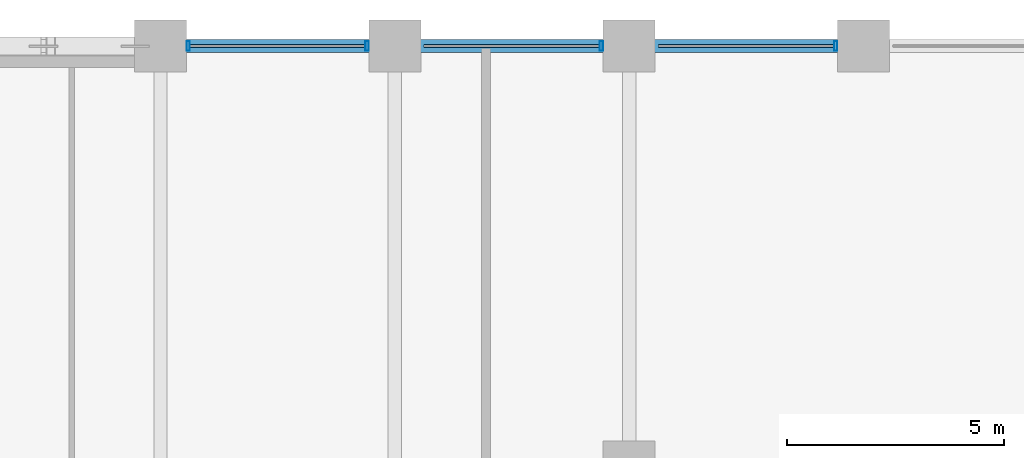
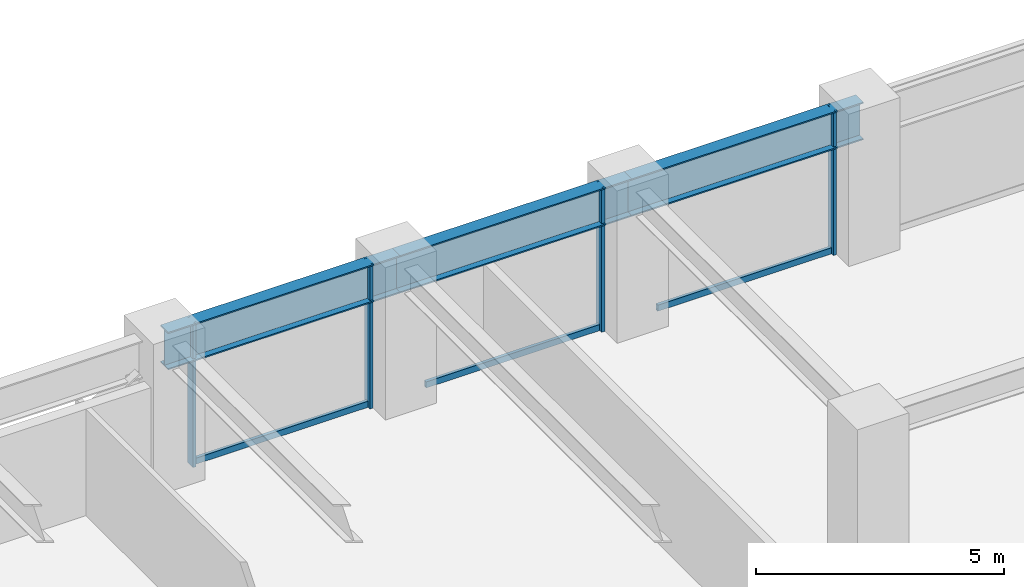
# One storey, part 15 of 28: 7 members, 3 beams, 1 element without a shape of its own.
"""IFC4 building model written with IfcOpenShell, lengths in metres."""

from ifc_helpers import new_model, si_unit, direction, frame, origin, origin_2d, place, context, subcontext, project, spatial, hollow_rectangle, i_section, extrude, material, layer, layer_set, material_profile, profile_set, type_object, element, aggregate, save


model = new_model("IFC4")

# Units and contexts
model_context = context("Model", 3, precision=1e-05, world=origin(), true_north=direction((0.0, 1.0)))
body_context = subcontext(model_context, "Body", "Model", "MODEL_VIEW")
ifc_project = project(units=[si_unit("LENGTHUNIT", "METRE"), si_unit("AREAUNIT", "SQUARE_METRE"), si_unit("VOLUMEUNIT", "CUBIC_METRE"), si_unit("PLANEANGLEUNIT", "RADIAN"), si_unit("MASSUNIT", "GRAM", prefix="KILO")], contexts=[model_context])

# Site, building, storey
site_placement = place(None, origin())
site = spatial("IfcSite", under=ifc_project, at=site_placement, CompositionType="ELEMENT")
building_placement = place(site_placement, origin())
building = spatial("IfcBuilding", under=site, at=building_placement, Name="Surkhivell Harbour Commons", CompositionType="ELEMENT")
storey_placement = place(building_placement, frame((0.0, 0.0, 63.75)))
storey = spatial("IfcBuildingStorey", under=building, at=storey_placement, Name="L16", CompositionType="ELEMENT", Elevation=63.75)

# Beams
ifc_material_1 = material(Name="Steel S460", Category="steel")
ifc_material_profile_1 = material_profile(ifc_material_1, i_section(OverallWidth=0.30810546875, OverallDepth=0.927001953125, WebThickness=0.01953125, FlangeThickness=0.031982421875, at=origin_2d()), Name="UB914x305x289")
ifc_profile_set_1 = profile_set([ifc_material_profile_1], Name="Steel S460")
beam_type = type_object("IfcBeamType", Name="BM-SPN-914B", PredefinedType="SPANDREL", material=ifc_profile_set_1)
beam_1_placement = place(storey_placement, frame((5.39990234375, 25.89990234375, 3.1064453125), z_axis=(1.0, 0.0, 0.0), x_axis=(0.0, 1.0, 0.0)))
element("IfcBeam", 1, at=beam_1_placement, inside=storey, type_object=beam_type, Name="L16 Tube Spandrel (5.4,25.9)", PredefinedType="SPANDREL", context=body_context, shape_type="SweptSolid", body=[
    extrude(i_section(OverallWidth=0.30810546875, OverallDepth=0.927001953125, WebThickness=0.01953125, FlangeThickness=0.031982421875, at=origin_2d()), origin(), (0.0, 0.0, 1.0), 5.400146484375),
])
beam_2_placement = place(storey_placement, frame((10.800048828125, 25.89990234375, 3.1064453125), z_axis=(1.0, 0.0, 0.0), x_axis=(0.0, 1.0, 0.0)))
element("IfcBeam", 2, at=beam_2_placement, inside=storey, type_object=beam_type, Name="L16 Tube Spandrel (10.8,25.9)", PredefinedType="SPANDREL", context=body_context, shape_type="SweptSolid", body=[
    extrude(i_section(OverallWidth=0.30810546875, OverallDepth=0.927001953125, WebThickness=0.01953125, FlangeThickness=0.031982421875, at=origin_2d()), origin(), (0.0, 0.0, 1.0), 5.39990234375),
])
beam_3_placement = place(storey_placement, frame((16.199951171875, 25.89990234375, 3.1064453125), z_axis=(1.0, 0.0, 0.0), x_axis=(0.0, 1.0, 0.0)))
element("IfcBeam", 3, at=beam_3_placement, inside=storey, type_object=beam_type, Name="L16 Tube Spandrel (16.2,25.9)", PredefinedType="SPANDREL", context=body_context, shape_type="SweptSolid", body=[
    extrude(i_section(OverallWidth=0.30810546875, OverallDepth=0.927001953125, WebThickness=0.01953125, FlangeThickness=0.031982421875, at=origin_2d()), origin(), (0.0, 0.0, 1.0), 5.400146484375),
])

# Curtain wall, members
ifc_material_2 = material(Name="Anodised pale-metal aluminium and insulated glazing", Category="aluminium")
ifc_layer = layer(ifc_material_2, 0.219970703125)
ifc_layer_set = layer_set([ifc_layer], Name="Anodised pale-metal aluminium and insulated glazing")
curtain_wall_type = type_object("IfcCurtainWallType", Name="CW-SYS-Z1", PredefinedType="NOTDEFINED", material=ifc_layer_set)
curtain_wall_placement = place(storey_placement, origin())
curtain_wall = element("IfcCurtainWall", 4, at=curtain_wall_placement, inside=storey, type_object=curtain_wall_type, Name="L16 Curtain Wall CW-L16-E07S1", PredefinedType="NOTDEFINED")
ifc_material_3 = material(Name="Anodised pale-metal aluminium alloy 6063-T6", Category="aluminium")
ifc_material_profile_2 = material_profile(ifc_material_3, hollow_rectangle(XDim=0.074951171875, YDim=0.219970703125, WallThickness=0.00390625, at=origin_2d()), Name="ALU-MULL-75x220")
ifc_profile_set_2 = profile_set([ifc_material_profile_2], Name="Anodised pale-metal aluminium alloy 6063-T6")
member_type_1 = type_object("IfcMemberType", Name="CWM-220", PredefinedType="MULLION", material=ifc_profile_set_2)
member_1_placement = place(storey_placement, frame((20.96044921875, 25.89990234375, 0.0), z_axis=(0.0, 0.0, 1.0), x_axis=(-1.0, 0.0, 0.0)))
member_1 = element("IfcMember", 5, at=member_1_placement, type_object=member_type_1, Name="CW-Z1 mullion 2", PredefinedType="MULLION", context=body_context, shape_type="SweptSolid", body=[
    extrude(hollow_rectangle(XDim=0.074951171875, YDim=0.219970703125, WallThickness=0.00390625, at=origin_2d()), origin(), (0.0, 0.0, 1.0), 3.570068359375),
])
member_2_placement = place(storey_placement, frame((15.560546875, 25.89990234375, 0.0), z_axis=(0.0, 0.0, 1.0), x_axis=(-1.0, 0.0, 0.0)))
member_2 = element("IfcMember", 6, at=member_2_placement, type_object=member_type_1, Name="CW-Z1 mullion 3", PredefinedType="MULLION", context=body_context, shape_type="SweptSolid", body=[
    extrude(hollow_rectangle(XDim=0.074951171875, YDim=0.219970703125, WallThickness=0.00390625, at=origin_2d()), origin(), (0.0, 0.0, 1.0), 3.570068359375),
])
member_3_placement = place(storey_placement, frame((10.160400390625, 25.89990234375, 0.0), z_axis=(0.0, 0.0, 1.0), x_axis=(-1.0, 0.0, 0.0)))
member_3 = element("IfcMember", 7, at=member_3_placement, type_object=member_type_1, Name="CW-Z1 mullion 4", PredefinedType="MULLION", context=body_context, shape_type="SweptSolid", body=[
    extrude(hollow_rectangle(XDim=0.074951171875, YDim=0.219970703125, WallThickness=0.00390625, at=origin_2d()), origin(), (0.0, 0.0, 1.0), 3.570068359375),
])
member_4_placement = place(storey_placement, frame((6.03955078125, 25.89990234375, 0.0), z_axis=(0.0, 0.0, 1.0), x_axis=(-1.0, 0.0, 0.0)))
member_4 = element("IfcMember", 8, at=member_4_placement, type_object=member_type_1, Name="CW-Z1 mullion 5", PredefinedType="MULLION", context=body_context, shape_type="SweptSolid", body=[
    extrude(hollow_rectangle(XDim=0.074951171875, YDim=0.219970703125, WallThickness=0.00390625, at=origin_2d()), origin(), (0.0, 0.0, 1.0), 3.570068359375),
])
ifc_material_profile_3 = material_profile(ifc_material_3, hollow_rectangle(XDim=0.074951171875, YDim=0.14990234375, WallThickness=0.00341796875, at=origin_2d()), Name="ALU-TRAN-75x150")
ifc_profile_set_3 = profile_set([ifc_material_profile_3], Name="Anodised pale-metal aluminium alloy 6063-T6")
member_type_2 = type_object("IfcMemberType", Name="CWT-150", PredefinedType="USERDEFINED", material=ifc_profile_set_3)
member_5_placement = place(storey_placement, frame((20.923095703125, 25.89990234375, 0.074951171875), z_axis=(-1.0, 0.0, 0.0), x_axis=(0.0, -1.0, 0.0)))
member_5 = element("IfcMember", 9, at=member_5_placement, type_object=member_type_2, Name="CW-Z1 transom 2.1", ObjectType="TRANSOM", PredefinedType="USERDEFINED", context=body_context, shape_type="SweptSolid", body=[
    extrude(hollow_rectangle(XDim=0.074951171875, YDim=0.14990234375, WallThickness=0.00341796875, at=origin_2d()), origin(), (0.0, 0.0, 1.0), 4.046142578125),
])
member_6_placement = place(storey_placement, frame((15.52294921875, 25.89990234375, 0.074951171875), z_axis=(-1.0, 0.0, 0.0), x_axis=(0.0, -1.0, 0.0)))
member_6 = element("IfcMember", 10, at=member_6_placement, type_object=member_type_2, Name="CW-Z1 transom 3.1", ObjectType="TRANSOM", PredefinedType="USERDEFINED", context=body_context, shape_type="SweptSolid", body=[
    extrude(hollow_rectangle(XDim=0.074951171875, YDim=0.14990234375, WallThickness=0.00341796875, at=origin_2d()), origin(), (0.0, 0.0, 1.0), 4.0458984375),
])
member_7_placement = place(storey_placement, frame((10.123046875, 25.89990234375, 0.074951171875), z_axis=(-1.0, 0.0, 0.0), x_axis=(0.0, -1.0, 0.0)))
member_7 = element("IfcMember", 11, at=member_7_placement, type_object=member_type_2, Name="CW-Z1 transom 4.1", ObjectType="TRANSOM", PredefinedType="USERDEFINED", context=body_context, shape_type="SweptSolid", body=[
    extrude(hollow_rectangle(XDim=0.074951171875, YDim=0.14990234375, WallThickness=0.00341796875, at=origin_2d()), origin(), (0.0, 0.0, 1.0), 4.046142578125),
])
aggregate(curtain_wall, [member_1, member_5, member_2, member_6, member_3, member_4, member_7])

save(model, "model.ifc")
